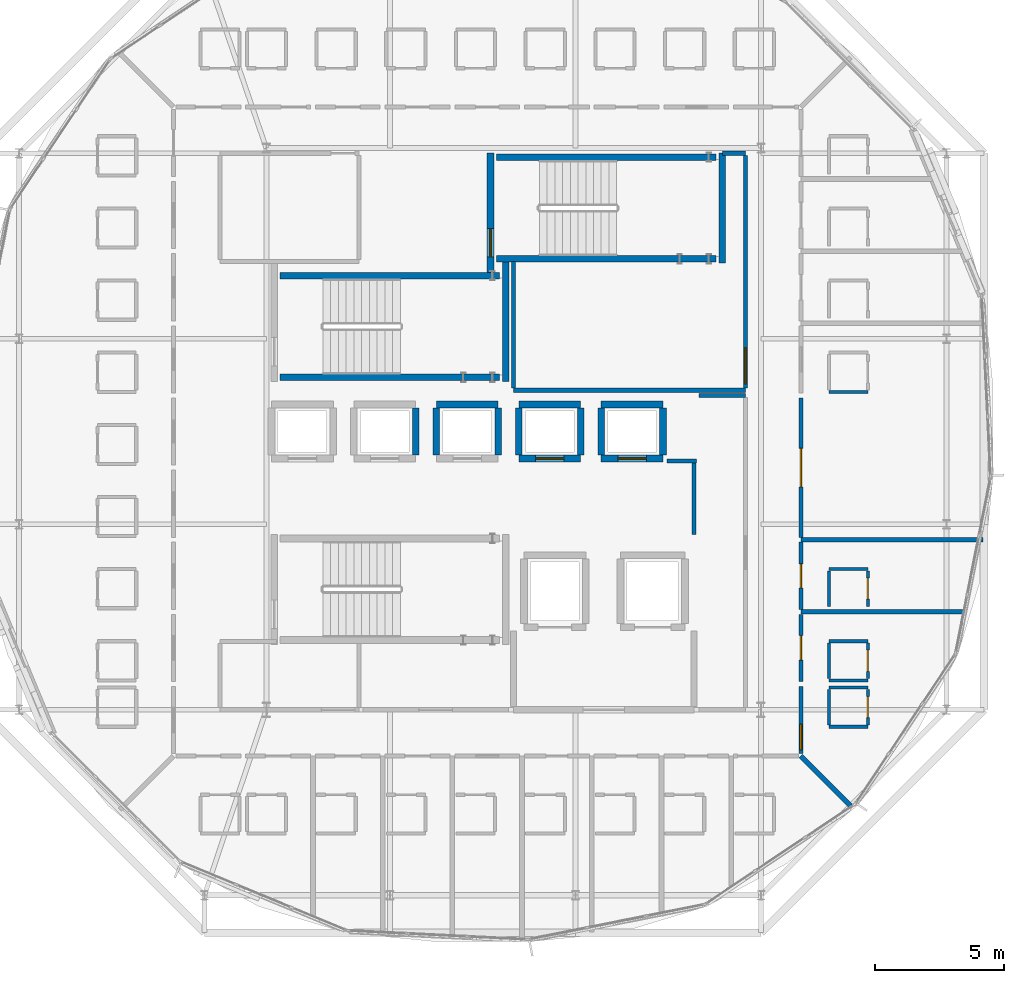
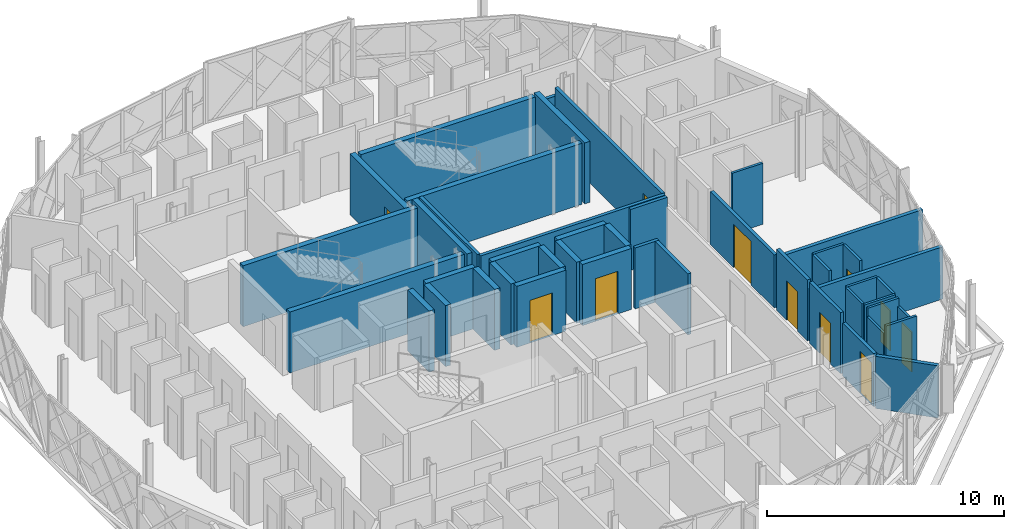
# One storey, part 16 of 24: 45 walls, 11 doors, 11 openings.
"""IFC4 building model written with IfcOpenShell, lengths in metres."""

from ifc_helpers import new_model, si_unit, direction, frame, frame_2d, origin, place, context, subcontext, project, spatial, rectangle, extrude, material, layer, layer_set, type_object, element, fill, save


model = new_model("IFC4")

# Units and contexts
model_context = context("Model", 3, precision=1e-05, world=origin(), true_north=direction((0.0, 1.0)))
body_context = subcontext(model_context, "Body", "Model", "MODEL_VIEW")
ifc_project = project(units=[si_unit("LENGTHUNIT", "METRE"), si_unit("AREAUNIT", "SQUARE_METRE"), si_unit("VOLUMEUNIT", "CUBIC_METRE"), si_unit("PLANEANGLEUNIT", "RADIAN"), si_unit("MASSUNIT", "GRAM", prefix="KILO")], contexts=[model_context])

# Site, building, storey
site_placement = place(None, origin())
site = spatial("IfcSite", under=ifc_project, at=site_placement, CompositionType="ELEMENT")
building_placement = place(site_placement, origin())
building = spatial("IfcBuilding", under=site, at=building_placement, Name="Zevrakil Square Congress Hotel", CompositionType="ELEMENT")
storey_placement = place(building_placement, frame((0.0, 0.0, 38.5)))
storey = spatial("IfcBuildingStorey", under=building, at=storey_placement, Name="L11", CompositionType="ELEMENT", Elevation=38.5)

# Walls
ifc_material_1 = material(Name="Gypsum Acoustic Stud Partition")
ifc_layer_1 = layer(ifc_material_1, 0.159912109375)
ifc_layer_set_1 = layer_set([ifc_layer_1], Name="Gypsum Acoustic Stud Partition")
wall_type_1 = type_object("IfcWallType", Name="WAL-CORR-160", PredefinedType="PARTITIONING", material=ifc_layer_set_1)
wall_1_placement = place(storey_placement, frame((146.39990234375, 29.199951171875, 0.0), z_axis=(0.0, 0.0, 1.0), x_axis=(1.0, 0.0, 0.0)))
element("IfcWall", 1, at=wall_1_placement, inside=storey, type_object=wall_type_1, Name="L11 interior partition PW-L11-1789", PredefinedType="PARTITIONING", context=body_context, shape_type="SweptSolid", body=[
    extrude(rectangle(XDim=9.0, YDim=0.159912109375, at=frame_2d((4.5, 0.0))), origin(), (0.0, 0.0, 1.0), 3.14990234375),
])
wall_2_placement = place(storey_placement, frame((146.39990234375, 29.284912109375, 0.0), z_axis=(0.0, 0.0, 1.0), x_axis=(0.0, 1.0, 0.0)))
element("IfcWall", 2, at=wall_2_placement, inside=storey, type_object=wall_type_1, Name="L11 interior partition PW-L11-1790", PredefinedType="PARTITIONING", context=body_context, shape_type="SweptSolid", body=[
    extrude(rectangle(XDim=4.9150390625, YDim=0.159912109375, at=frame_2d((2.45751953125, 0.0))), origin(), (0.0, 0.0, 1.0), 3.14990234375),
])
wall_3_placement = place(storey_placement, frame((154.5, 38.39990234375, 0.0), z_axis=(0.0, 0.0, 1.0), x_axis=(1.0, 0.0, 0.0)))
element("IfcWall", 3, at=wall_3_placement, inside=storey, type_object=wall_type_1, Name="L11 interior partition PW-L11-1791", PredefinedType="PARTITIONING", context=body_context, shape_type="SweptSolid", body=[
    extrude(rectangle(XDim=0.89990234375, YDim=0.159912109375, at=frame_2d((0.449951171875, 0.0))), origin(), (0.0, 0.0, 1.0), 2.68505859375),
])

# Wall, opening, door
wall_4_placement = place(storey_placement, frame((155.39990234375, 29.284912109375, 0.0), z_axis=(0.0, 0.0, 1.0), x_axis=(0.0, 1.0, 0.0)))
wall_4 = element("IfcWall", 4, at=wall_4_placement, inside=storey, type_object=wall_type_1, Name="L11 interior partition PW-L11-1792", PredefinedType="PARTITIONING", context=body_context, shape_type="SweptSolid", body=[
    extrude(rectangle(XDim=9.030029296875, YDim=0.159912109375, at=frame_2d((4.51513671875, 0.0))), origin(), (0.0, 0.0, 1.0), 3.14990234375),
])
opening_1_placement = place(wall_4_placement, frame((0.159912109375, 0.0, 0.0)))
opening_1 = element("IfcOpeningElement", 5, at=opening_1_placement, cuts=wall_4, Name="Opening ID-09", PredefinedType="OPENING", context=body_context, shape_type="SweptSolid", body=[
    extrude(rectangle(XDim=1.39990234375, YDim=2.199951171875, at=frame_2d((0.699951171875, 1.10009765625))), frame((0.0, 0.08984375, 0.0), z_axis=(0.0, -1.0, 0.0), x_axis=(1.0, 0.0, 0.0)), (0.0, 0.0, 1.0), 0.179931640625),
])
ifc_material_2 = material(Name="Steel S355 Louvred Plant Fire Door", Category="steel")
door_type_1 = type_object("IfcDoorType", Name="DOR-PLANT-140", OperationType="NOTDEFINED", PredefinedType="DOOR", material=ifc_material_2)
door_1_placement = place(opening_1_placement, origin())
door_1 = element("IfcDoor", 6, at=door_1_placement, inside=storey, type_object=door_type_1, Name="L11 interior door 695", OperationType="SINGLE_SWING_LEFT", OverallHeight=2.199951171875, OverallWidth=1.39990234375, PredefinedType="DOOR", context=body_context, shape_type="SweptSolid", body=[
    extrude(rectangle(XDim=1.39990234375, YDim=2.199951171875, at=frame_2d((0.699951171875, 1.10009765625))), frame((0.0, 0.02490234375, 0.0), z_axis=(0.0, -1.0, 0.0), x_axis=(1.0, 0.0, 0.0)), (0.0, 0.0, 1.0), 0.050048828125),
])
fill(opening_1, door_1)

# Walls
wall_5_placement = place(storey_placement, frame((153.60009765625, 29.0, 0.0), z_axis=(0.0, 0.0, 1.0), x_axis=(1.0, 0.0, 0.0)))
element("IfcWall", 7, at=wall_5_placement, inside=storey, type_object=wall_type_1, Name="L11 interior partition PW-L11-1794", PredefinedType="PARTITIONING", context=body_context, shape_type="SweptSolid", body=[
    extrude(rectangle(XDim=1.7998046875, YDim=0.159912109375, at=frame_2d((0.89990234375, 0.0))), origin(), (0.0, 0.0, 1.0), 3.14990234375),
])
wall_6_placement = place(storey_placement, frame((152.35009765625, 26.449951171875, 0.0), z_axis=(0.0, 0.0, 1.0), x_axis=(1.0, 0.0, 0.0)))
element("IfcWall", 8, at=wall_6_placement, inside=storey, type_object=wall_type_1, Name="L11 interior partition PW-L11-1796", PredefinedType="PARTITIONING", context=body_context, shape_type="SweptSolid", body=[
    extrude(rectangle(XDim=1.14990234375, YDim=0.159912109375, at=frame_2d((0.574951171875, 0.0))), origin(), (0.0, 0.0, 1.0), 3.14990234375),
])
wall_7_placement = place(storey_placement, frame((153.39990234375, 23.60009765625, 0.0), z_axis=(0.0, 0.0, 1.0), x_axis=(0.0, 1.0, 0.0)))
element("IfcWall", 9, at=wall_7_placement, inside=storey, type_object=wall_type_1, Name="L11 interior partition PW-L11-1797", PredefinedType="PARTITIONING", context=body_context, shape_type="SweptSolid", body=[
    extrude(rectangle(XDim=2.7998046875, YDim=0.159912109375, at=frame_2d((1.39990234375, 0.0))), origin(), (0.0, 0.0, 1.0), 3.14990234375),
])

# Wall, opening, door
wall_8_placement = place(storey_placement, frame((157.550048828125, 23.4951171875, 0.0), z_axis=(0.0, 0.0, 1.0), x_axis=(0.0, 1.0, 0.0)))
wall_8 = element("IfcWall", 10, at=wall_8_placement, inside=storey, type_object=wall_type_1, Name="L11 interior partition PW-L11-1798", PredefinedType="PARTITIONING", context=body_context, shape_type="SweptSolid", body=[
    extrude(rectangle(XDim=5.409912109375, YDim=0.159912109375, at=frame_2d((2.705078125, 0.0))), origin(), (0.0, 0.0, 1.0), 2.735107421875),
])
opening_2_placement = place(wall_8_placement, frame((1.955078125, 0.0, 0.0)))
opening_2 = element("IfcOpeningElement", 11, at=opening_2_placement, cuts=wall_8, Name="Opening ID-03", PredefinedType="OPENING", context=body_context, shape_type="SweptSolid", body=[
    extrude(rectangle(XDim=1.5, YDim=2.25, at=frame_2d((0.75, 1.125))), frame((0.0, 0.08984375, 0.0), z_axis=(0.0, -1.0, 0.0), x_axis=(1.0, 0.0, 0.0)), (0.0, 0.0, 1.0), 0.179931640625),
])
ifc_material_3 = material(Name="Acoustic Double Meeting Door")
door_type_2 = type_object("IfcDoorType", Name="DOR-MTG-150", OperationType="NOTDEFINED", PredefinedType="DOOR", material=ifc_material_3)
door_2_placement = place(opening_2_placement, origin())
door_2 = element("IfcDoor", 12, at=door_2_placement, inside=storey, type_object=door_type_2, Name="L11 interior door 697", OperationType="DOUBLE_DOOR_SINGLE_SWING", OverallHeight=2.25, OverallWidth=1.5, PredefinedType="DOOR", context=body_context, shape_type="SweptSolid", body=[
    extrude(rectangle(XDim=1.5, YDim=2.25, at=frame_2d((0.75, 1.125))), frame((0.0, 0.02490234375, 0.0), z_axis=(0.0, -1.0, 0.0), x_axis=(1.0, 0.0, 0.0)), (0.0, 0.0, 1.0), 0.050048828125),
])
fill(opening_2, door_2)

wall_9_placement = place(storey_placement, frame((157.550048828125, 15.094970703125, 0.0), z_axis=(0.0, 0.0, 1.0), x_axis=(0.0, 1.0, 0.0)))
wall_9 = element("IfcWall", 13, at=wall_9_placement, inside=storey, type_object=wall_type_1, Name="L11 interior partition PW-L11-1846", PredefinedType="PARTITIONING", context=body_context, shape_type="SweptSolid", body=[
    extrude(rectangle(XDim=2.610107421875, YDim=0.159912109375, at=frame_2d((1.30517578125, 0.0))), origin(), (0.0, 0.0, 1.0), 2.735107421875),
])
opening_3_placement = place(wall_9_placement, frame((0.159912109375, 0.0, 0.0)))
opening_3 = element("IfcOpeningElement", 14, at=opening_3_placement, cuts=wall_9, Name="Opening ID-14", PredefinedType="OPENING", context=body_context, shape_type="SweptSolid", body=[
    extrude(rectangle(XDim=0.97998046875, YDim=2.159912109375, at=frame_2d((0.489990234375, 1.080078125))), frame((0.0, 0.08984375, 0.0), z_axis=(0.0, -1.0, 0.0), x_axis=(1.0, 0.0, 0.0)), (0.0, 0.0, 1.0), 0.179931640625),
])
ifc_material_4 = material(Name="Acoustic Timber Fire Door", Category="wood")
door_type_3 = type_object("IfcDoorType", Name="DOR-INT-V04", OperationType="NOTDEFINED", PredefinedType="DOOR", material=ifc_material_4)
door_3_placement = place(opening_3_placement, origin())
door_3 = element("IfcDoor", 15, at=door_3_placement, inside=storey, type_object=door_type_3, Name="L11 interior door 716", OperationType="SINGLE_SWING_RIGHT", OverallHeight=2.159912109375, OverallWidth=0.97998046875, PredefinedType="DOOR", context=body_context, shape_type="SweptSolid", body=[
    extrude(rectangle(XDim=0.97998046875, YDim=2.159912109375, at=frame_2d((0.489990234375, 1.080078125))), frame((0.0, 0.02490234375, 0.0), z_axis=(0.0, -1.0, 0.0), x_axis=(1.0, 0.0, 0.0)), (0.0, 0.0, 1.0), 0.050048828125),
])
fill(opening_3, door_3)

wall_10_placement = place(storey_placement, frame((157.550048828125, 17.89501953125, 0.0), z_axis=(0.0, 0.0, 1.0), x_axis=(0.0, 1.0, 0.0)))
wall_10 = element("IfcWall", 16, at=wall_10_placement, inside=storey, type_object=wall_type_1, Name="L11 interior partition PW-L11-1851", PredefinedType="PARTITIONING", context=body_context, shape_type="SweptSolid", body=[
    extrude(rectangle(XDim=2.60986328125, YDim=0.159912109375, at=frame_2d((1.304931640625, 0.0))), origin(), (0.0, 0.0, 1.0), 3.14990234375),
])
opening_4_placement = place(wall_10_placement, frame((0.8310546875, 0.0, 0.0)))
opening_4 = element("IfcOpeningElement", 17, at=opening_4_placement, cuts=wall_10, Name="Opening ID-H09", PredefinedType="OPENING", context=body_context, shape_type="SweptSolid", body=[
    extrude(rectangle(XDim=0.947998046875, YDim=2.10009765625, at=frame_2d((0.47412109375, 1.050048828125))), frame((0.0, 0.08984375, 0.0), z_axis=(0.0, -1.0, 0.0), x_axis=(1.0, 0.0, 0.0)), (0.0, 0.0, 1.0), 0.179931640625),
])
ifc_material_5 = material(Name="Acoustic Timber Fire Door", Category="wood")
door_type_4 = type_object("IfcDoorType", Name="DOR-INT-H09", OperationType="NOTDEFINED", PredefinedType="DOOR", material=ifc_material_5)
door_4_placement = place(opening_4_placement, origin())
door_4 = element("IfcDoor", 18, at=door_4_placement, inside=storey, type_object=door_type_4, Name="L11 interior door 718", OperationType="SINGLE_SWING_RIGHT", OverallHeight=2.10009765625, OverallWidth=0.947998046875, PredefinedType="DOOR", context=body_context, shape_type="SweptSolid", body=[
    extrude(rectangle(XDim=0.947998046875, YDim=2.10009765625, at=frame_2d((0.47412109375, 1.050048828125))), frame((0.0, 0.02490234375, 0.0), z_axis=(0.0, -1.0, 0.0), x_axis=(1.0, 0.0, 0.0)), (0.0, 0.0, 1.0), 0.050048828125),
])
fill(opening_4, door_4)

wall_11_placement = place(storey_placement, frame((157.550048828125, 20.695068359375, 0.0), z_axis=(0.0, 0.0, 1.0), x_axis=(0.0, 1.0, 0.0)))
wall_11 = element("IfcWall", 19, at=wall_11_placement, inside=storey, type_object=wall_type_1, Name="L11 interior partition PW-L11-1857", PredefinedType="PARTITIONING", context=body_context, shape_type="SweptSolid", body=[
    extrude(rectangle(XDim=2.60986328125, YDim=0.159912109375, at=frame_2d((1.304931640625, 0.0))), origin(), (0.0, 0.0, 1.0), 3.14990234375),
])
opening_5_placement = place(wall_11_placement, frame((0.840087890625, 0.0, 0.0)))
opening_5 = element("IfcOpeningElement", 20, at=opening_5_placement, cuts=wall_11, Name="Opening ID-G04", PredefinedType="OPENING", context=body_context, shape_type="SweptSolid", body=[
    extrude(rectangle(XDim=0.929931640625, YDim=2.050048828125, at=frame_2d((0.46484375, 1.02490234375))), frame((0.0, 0.08984375, 0.0), z_axis=(0.0, -1.0, 0.0), x_axis=(1.0, 0.0, 0.0)), (0.0, 0.0, 1.0), 0.179931640625),
])
ifc_material_6 = material(Name="Acoustic Timber Fire Door", Category="wood")
door_type_5 = type_object("IfcDoorType", Name="DOR-INT-G04", OperationType="NOTDEFINED", PredefinedType="DOOR", material=ifc_material_6)
door_5_placement = place(opening_5_placement, origin())
door_5 = element("IfcDoor", 21, at=door_5_placement, inside=storey, type_object=door_type_5, Name="L11 interior door 720", OperationType="SINGLE_SWING_RIGHT", OverallHeight=2.050048828125, OverallWidth=0.929931640625, PredefinedType="DOOR", context=body_context, shape_type="SweptSolid", body=[
    extrude(rectangle(XDim=0.929931640625, YDim=2.050048828125, at=frame_2d((0.46484375, 1.02490234375))), frame((0.0, 0.02490234375, 0.0), z_axis=(0.0, -1.0, 0.0), x_axis=(1.0, 0.0, 0.0)), (0.0, 0.0, 1.0), 0.050048828125),
])
fill(opening_5, door_5)

# Walls
ifc_material_7 = material(Name="Moisture-Resistant Gypsum Partition")
ifc_layer_2 = layer(ifc_material_7, 0.1201171875)
ifc_layer_set_2 = layer_set([ifc_layer_2], Name="Moisture-Resistant Gypsum Partition")
wall_type_2 = type_object("IfcWallType", Name="WAL-ENS-120", PredefinedType="PARTITIONING", material=ifc_layer_set_2)
for number, where, z_axis, x_axis, name in (
    (22, (158.64990234375, 16.139892578125, 0.0), (0.0, 0.0, 1.0), (1.0, 0.0, 0.0), "L11 interior partition PW-L11-1847"),
    (23, (158.64990234375, 17.659912109375, 0.0), (0.0, 0.0, 1.0), (1.0, 0.0, 0.0), "L11 interior partition PW-L11-1848"),
):
    element("IfcWall", number, at=place(storey_placement, frame(where, z_axis=z_axis, x_axis=x_axis)), inside=storey, type_object=wall_type_2, Name=name, PredefinedType="PARTITIONING", context=body_context, shape_type="SweptSolid", body=[
        extrude(rectangle(XDim=1.5, YDim=0.1201171875, at=frame_2d((0.75, 0.0))), origin(), (0.0, 0.0, 1.0), 3.14990234375),
    ])
wall_12_placement = place(storey_placement, frame((158.64990234375, 16.205078125, 0.0), z_axis=(0.0, 0.0, 1.0), x_axis=(0.0, 1.0, 0.0)))
element("IfcWall", 24, at=wall_12_placement, inside=storey, type_object=wall_type_2, Name="L11 interior partition PW-L11-1849", PredefinedType="PARTITIONING", context=body_context, shape_type="SweptSolid", body=[
    extrude(rectangle(XDim=1.389892578125, YDim=0.1201171875, at=frame_2d((0.69482421875, 0.0))), origin(), (0.0, 0.0, 1.0), 2.735107421875),
])

# Wall, opening, door
wall_13_placement = place(storey_placement, frame((160.14990234375, 16.205078125, 0.0), z_axis=(0.0, 0.0, 1.0), x_axis=(0.0, 1.0, 0.0)))
wall_13 = element("IfcWall", 25, at=wall_13_placement, inside=storey, type_object=wall_type_2, Name="L11 interior partition PW-L11-1850", PredefinedType="PARTITIONING", context=body_context, shape_type="SweptSolid", body=[
    extrude(rectangle(XDim=1.389892578125, YDim=0.1201171875, at=frame_2d((0.69482421875, 0.0))), origin(), (0.0, 0.0, 1.0), 2.735107421875),
])
opening_6_placement = place(wall_13_placement, frame((0.284912109375, 0.0, 0.0)))
opening_6 = element("IfcOpeningElement", 26, at=opening_6_placement, cuts=wall_13, Name="Opening ID-11", PredefinedType="OPENING", context=body_context, shape_type="SweptSolid", body=[
    extrude(rectangle(XDim=0.820068359375, YDim=2.080078125, at=frame_2d((0.41015625, 1.0400390625))), frame((0.0, 0.070068359375, 0.0), z_axis=(0.0, -1.0, 0.0), x_axis=(1.0, 0.0, 0.0)), (0.0, 0.0, 1.0), 0.14013671875),
])
ifc_material_8 = material(Name="Acoustic Timber Door", Category="wood")
door_type_6 = type_object("IfcDoorType", Name="DOR-INT-V01", OperationType="NOTDEFINED", PredefinedType="DOOR", material=ifc_material_8)
door_6_placement = place(opening_6_placement, origin())
door_6 = element("IfcDoor", 27, at=door_6_placement, inside=storey, type_object=door_type_6, Name="L11 interior door 717", OperationType="SINGLE_SWING_LEFT", OverallHeight=2.080078125, OverallWidth=0.820068359375, PredefinedType="DOOR", context=body_context, shape_type="SweptSolid", body=[
    extrude(rectangle(XDim=0.820068359375, YDim=2.080078125, at=frame_2d((0.41015625, 1.0400390625))), frame((0.0, 0.02490234375, 0.0), z_axis=(0.0, -1.0, 0.0), x_axis=(1.0, 0.0, 0.0)), (0.0, 0.0, 1.0), 0.050048828125),
])
fill(opening_6, door_6)

# Walls
for number, where, z_axis, x_axis, name in (
    (28, (158.64990234375, 17.93994140625, 0.0), (0.0, 0.0, 1.0), (1.0, 0.0, 0.0), "L11 interior partition PW-L11-1852"),
    (29, (158.64990234375, 19.4599609375, 0.0), (0.0, 0.0, 1.0), (1.0, 0.0, 0.0), "L11 interior partition PW-L11-1853"),
):
    element("IfcWall", number, at=place(storey_placement, frame(where, z_axis=z_axis, x_axis=x_axis)), inside=storey, type_object=wall_type_2, Name=name, PredefinedType="PARTITIONING", context=body_context, shape_type="SweptSolid", body=[
        extrude(rectangle(XDim=1.5, YDim=0.1201171875, at=frame_2d((0.75, 0.0))), origin(), (0.0, 0.0, 1.0), 3.14990234375),
    ])
wall_14_placement = place(storey_placement, frame((158.64990234375, 18.0048828125, 0.0), z_axis=(0.0, 0.0, 1.0), x_axis=(0.0, 1.0, 0.0)))
element("IfcWall", 30, at=wall_14_placement, inside=storey, type_object=wall_type_2, Name="L11 interior partition PW-L11-1854", PredefinedType="PARTITIONING", context=body_context, shape_type="SweptSolid", body=[
    extrude(rectangle(XDim=1.39013671875, YDim=0.1201171875, at=frame_2d((0.695068359375, 0.0))), origin(), (0.0, 0.0, 1.0), 3.14990234375),
])

# Wall, opening, door
wall_15_placement = place(storey_placement, frame((160.14990234375, 18.0048828125, 0.0), z_axis=(0.0, 0.0, 1.0), x_axis=(0.0, 1.0, 0.0)))
wall_15 = element("IfcWall", 31, at=wall_15_placement, inside=storey, type_object=wall_type_2, Name="L11 interior partition PW-L11-1855", PredefinedType="PARTITIONING", context=body_context, shape_type="SweptSolid", body=[
    extrude(rectangle(XDim=1.39013671875, YDim=0.1201171875, at=frame_2d((0.695068359375, 0.0))), origin(), (0.0, 0.0, 1.0), 3.14990234375),
])
opening_7_placement = place(wall_15_placement, frame((0.284912109375, 0.0, 0.0)))
opening_7 = element("IfcOpeningElement", 32, at=opening_7_placement, cuts=wall_15, Name="Opening ID-11", PredefinedType="OPENING", context=body_context, shape_type="SweptSolid", body=[
    extrude(rectangle(XDim=0.820068359375, YDim=2.080078125, at=frame_2d((0.41015625, 1.0400390625))), frame((0.0, 0.070068359375, 0.0), z_axis=(0.0, -1.0, 0.0), x_axis=(1.0, 0.0, 0.0)), (0.0, 0.0, 1.0), 0.14013671875),
])
door_7_placement = place(opening_7_placement, origin())
door_7 = element("IfcDoor", 33, at=door_7_placement, inside=storey, type_object=door_type_6, Name="L11 interior door 719", OperationType="SINGLE_SWING_LEFT", OverallHeight=2.080078125, OverallWidth=0.820068359375, PredefinedType="DOOR", context=body_context, shape_type="SweptSolid", body=[
    extrude(rectangle(XDim=0.820068359375, YDim=2.080078125, at=frame_2d((0.41015625, 1.0400390625))), frame((0.0, 0.02490234375, 0.0), z_axis=(0.0, -1.0, 0.0), x_axis=(1.0, 0.0, 0.0)), (0.0, 0.0, 1.0), 0.050048828125),
])
fill(opening_7, door_7)

# Walls
wall_16_placement = place(storey_placement, frame((158.64990234375, 22.260009765625, 0.0), z_axis=(0.0, 0.0, 1.0), x_axis=(1.0, 0.0, 0.0)))
element("IfcWall", 34, at=wall_16_placement, inside=storey, type_object=wall_type_2, Name="L11 interior partition PW-L11-1858", PredefinedType="PARTITIONING", context=body_context, shape_type="SweptSolid", body=[
    extrude(rectangle(XDim=1.5, YDim=0.1201171875, at=frame_2d((0.75, 0.0))), origin(), (0.0, 0.0, 1.0), 3.14990234375),
])
wall_17_placement = place(storey_placement, frame((158.64990234375, 20.804931640625, 0.0), z_axis=(0.0, 0.0, 1.0), x_axis=(0.0, 1.0, 0.0)))
element("IfcWall", 35, at=wall_17_placement, inside=storey, type_object=wall_type_2, Name="L11 interior partition PW-L11-1859", PredefinedType="PARTITIONING", context=body_context, shape_type="SweptSolid", body=[
    extrude(rectangle(XDim=1.39013671875, YDim=0.1201171875, at=frame_2d((0.695068359375, 0.0))), origin(), (0.0, 0.0, 1.0), 3.14990234375),
])

# Wall, opening, door
wall_18_placement = place(storey_placement, frame((160.14990234375, 20.804931640625, 0.0), z_axis=(0.0, 0.0, 1.0), x_axis=(0.0, 1.0, 0.0)))
wall_18 = element("IfcWall", 36, at=wall_18_placement, inside=storey, type_object=wall_type_2, Name="L11 interior partition PW-L11-1860", PredefinedType="PARTITIONING", context=body_context, shape_type="SweptSolid", body=[
    extrude(rectangle(XDim=1.39013671875, YDim=0.1201171875, at=frame_2d((0.695068359375, 0.0))), origin(), (0.0, 0.0, 1.0), 3.14990234375),
])
opening_8_placement = place(wall_18_placement, frame((0.284912109375, 0.0, 0.0)))
opening_8 = element("IfcOpeningElement", 37, at=opening_8_placement, cuts=wall_18, Name="Opening ID-11", PredefinedType="OPENING", context=body_context, shape_type="SweptSolid", body=[
    extrude(rectangle(XDim=0.820068359375, YDim=2.080078125, at=frame_2d((0.41015625, 1.0400390625))), frame((0.0, 0.070068359375, 0.0), z_axis=(0.0, -1.0, 0.0), x_axis=(1.0, 0.0, 0.0)), (0.0, 0.0, 1.0), 0.14013671875),
])
door_8_placement = place(opening_8_placement, origin())
door_8 = element("IfcDoor", 38, at=door_8_placement, inside=storey, type_object=door_type_6, Name="L11 interior door 721", OperationType="SINGLE_SWING_LEFT", OverallHeight=2.080078125, OverallWidth=0.820068359375, PredefinedType="DOOR", context=body_context, shape_type="SweptSolid", body=[
    extrude(rectangle(XDim=0.820068359375, YDim=2.080078125, at=frame_2d((0.41015625, 1.0400390625))), frame((0.0, 0.02490234375, 0.0), z_axis=(0.0, -1.0, 0.0), x_axis=(1.0, 0.0, 0.0)), (0.0, 0.0, 1.0), 0.050048828125),
])
fill(opening_8, door_8)

# Walls
wall_19_placement = place(storey_placement, frame((158.64990234375, 29.139892578125, 0.0), z_axis=(0.0, 0.0, 1.0), x_axis=(1.0, 0.0, 0.0)))
element("IfcWall", 39, at=wall_19_placement, inside=storey, type_object=wall_type_2, Name="L11 interior partition PW-L11-1863", PredefinedType="PARTITIONING", context=body_context, shape_type="SweptSolid", body=[
    extrude(rectangle(XDim=1.5, YDim=0.1201171875, at=frame_2d((0.75, 0.0))), origin(), (0.0, 0.0, 1.0), 3.14990234375),
])
ifc_material_9 = material(Name="Gypsum Twin-Stud Party Partition")
ifc_layer_3 = layer(ifc_material_9, 0.179931640625)
ifc_layer_set_3 = layer_set([ifc_layer_3], Name="Gypsum Twin-Stud Party Partition")
wall_type_3 = type_object("IfcWallType", Name="WAL-PARTY-180", PredefinedType="PARTITIONING", material=ifc_layer_set_3)
wall_20_placement = place(storey_placement, frame((157.550048828125, 15.0, 0.0), z_axis=(0.0, 0.0, 1.0), x_axis=(0.707106781187, -0.707106781187, 0.0)))
element("IfcWall", 40, at=wall_20_placement, inside=storey, type_object=wall_type_3, Name="L11 interior partition PW-L11-1845", PredefinedType="PARTITIONING", context=body_context, shape_type="SweptSolid", body=[
    extrude(rectangle(XDim=2.72509765625, YDim=0.179931640625, at=frame_2d((1.362548828125, 0.0))), origin(), (0.0, 0.0, 1.0), 2.695068359375),
])
wall_21_placement = place(storey_placement, frame((157.550048828125, 20.60009765625, 0.0), z_axis=(0.0, 0.0, 1.0), x_axis=(1.0, 0.0, 0.0)))
element("IfcWall", 41, at=wall_21_placement, inside=storey, type_object=wall_type_3, Name="L11 interior partition PW-L11-1856", PredefinedType="PARTITIONING", context=body_context, shape_type="SweptSolid", body=[
    extrude(rectangle(XDim=6.435791015625, YDim=0.179931640625, at=frame_2d((3.2177734375, 0.0))), origin(), (0.0, 0.0, 1.0), 2.695068359375),
])
wall_22_placement = place(storey_placement, frame((157.550048828125, 23.39990234375, 0.0), z_axis=(0.0, 0.0, 1.0), x_axis=(1.0, 0.0, 0.0)))
element("IfcWall", 42, at=wall_22_placement, inside=storey, type_object=wall_type_3, Name="L11 interior partition PW-L11-1861", PredefinedType="PARTITIONING", context=body_context, shape_type="SweptSolid", body=[
    extrude(rectangle(XDim=7.0732421875, YDim=0.179931640625, at=frame_2d((3.53662109375, 0.0))), origin(), (0.0, 0.0, 1.0), 2.695068359375),
])
ifc_material_10 = material(Name="Concrete C40/50", Category="concrete")
ifc_layer_4 = layer(ifc_material_10, 0.260009765625)
ifc_layer_set_4 = layer_set([ifc_layer_4], Name="Concrete C40/50")
wall_type_4 = type_object("IfcWallType", Name="WAL-SHAFT-260", PredefinedType="SHEAR", material=ifc_layer_set_4)
wall_23_placement = place(storey_placement, frame((146.094970703125, 29.5400390625, 0.0), z_axis=(0.0, 0.0, 1.0), x_axis=(0.0, 1.0, 0.0)))
element("IfcWall", 43, at=wall_23_placement, inside=storey, type_object=wall_type_4, Name="L11 ST02 stair shaft E wall", PredefinedType="SHEAR", context=body_context, shape_type="SweptSolid", body=[
    extrude(rectangle(XDim=4.635009765625, YDim=0.260009765625, at=frame_2d((2.3173828125, 0.0))), origin(), (0.0, 0.0, 1.0), 3.14990234375),
])
for number, where, z_axis, x_axis, name in (
    (44, (137.340087890625, 29.705078125, 0.0), (0.0, 0.0, 1.0), (1.0, 0.0, 0.0), "L11 ST02 stair shaft S wall"),
    (45, (137.340087890625, 33.64501953125, 0.0), (0.0, 0.0, 1.0), (1.0, 0.0, 0.0), "L11 ST02 stair shaft N wall"),
):
    element("IfcWall", number, at=place(storey_placement, frame(where, z_axis=z_axis, x_axis=x_axis)), inside=storey, type_object=wall_type_4, Name=name, PredefinedType="SHEAR", context=body_context, shape_type="SweptSolid", body=[
        extrude(rectangle(XDim=8.52001953125, YDim=0.260009765625, at=frame_2d((4.260009765625, 0.0))), origin(), (0.0, 0.0, 1.0), 3.14990234375),
    ])

# Wall, opening, door
wall_24_placement = place(storey_placement, frame((145.5048828125, 33.764892578125, 0.0), z_axis=(0.0, 0.0, 1.0), x_axis=(0.0, 1.0, 0.0)))
wall_24 = element("IfcWall", 46, at=wall_24_placement, inside=storey, type_object=wall_type_4, Name="L11 ST03 stair shaft W wall", PredefinedType="SHEAR", context=body_context, shape_type="SweptSolid", body=[
    extrude(rectangle(XDim=4.64501953125, YDim=0.260009765625, at=frame_2d((2.322509765625, 0.0))), origin(), (0.0, 0.0, 1.0), 3.14990234375),
])
opening_9_placement = place(wall_24_placement, frame((0.610107421875, 0.0, 0.0)))
opening_9 = element("IfcOpeningElement", 47, at=opening_9_placement, cuts=wall_24, Name="Opening SD-ST03", PredefinedType="OPENING", context=body_context, shape_type="SweptSolid", body=[
    extrude(rectangle(XDim=1.10009765625, YDim=2.199951171875, at=frame_2d((0.550048828125, 1.10009765625))), frame((0.0, 0.14013671875, 0.0), z_axis=(0.0, -1.0, 0.0), x_axis=(1.0, 0.0, 0.0)), (0.0, 0.0, 1.0), 0.280029296875),
])
ifc_material_11 = material(Name="Steel S355 Fire-Rated Door", Category="steel")
door_type_7 = type_object("IfcDoorType", Name="DOR-STAIR-FD90-110", OperationType="NOTDEFINED", PredefinedType="DOOR", material=ifc_material_11)
door_9_placement = place(opening_9_placement, origin())
door_9 = element("IfcDoor", 48, at=door_9_placement, inside=storey, type_object=door_type_7, Name="L11 ST03 protected stair fire door", OperationType="SINGLE_SWING_RIGHT", OverallHeight=2.199951171875, OverallWidth=1.10009765625, PredefinedType="DOOR", context=body_context, shape_type="SweptSolid", body=[
    extrude(rectangle(XDim=1.10009765625, YDim=2.199951171875, at=frame_2d((0.550048828125, 1.10009765625))), frame((0.0, 0.02490234375, 0.0), z_axis=(0.0, -1.0, 0.0), x_axis=(1.0, 0.0, 0.0)), (0.0, 0.0, 1.0), 0.050048828125),
])
fill(opening_9, door_9)

# Walls
wall_25_placement = place(storey_placement, frame((154.4951171875, 34.139892578125, 0.0), z_axis=(0.0, 0.0, 1.0), x_axis=(0.0, 1.0, 0.0)))
element("IfcWall", 49, at=wall_25_placement, inside=storey, type_object=wall_type_4, Name="L11 ST03 stair shaft E wall", PredefinedType="SHEAR", context=body_context, shape_type="SweptSolid", body=[
    extrude(rectangle(XDim=4.27001953125, YDim=0.260009765625, at=frame_2d((2.135009765625, 0.0))), origin(), (0.0, 0.0, 1.0), 3.14990234375),
])
for number, where, z_axis, x_axis, name in (
    (50, (145.739990234375, 34.304931640625, 0.0), (0.0, 0.0, 1.0), (1.0, 0.0, 0.0), "L11 ST03 stair shaft S wall"),
    (51, (145.739990234375, 38.2451171875, 0.0), (0.0, 0.0, 1.0), (1.0, 0.0, 0.0), "L11 ST03 stair shaft N wall"),
):
    element("IfcWall", number, at=place(storey_placement, frame(where, z_axis=z_axis, x_axis=x_axis)), inside=storey, type_object=wall_type_4, Name=name, PredefinedType="SHEAR", context=body_context, shape_type="SweptSolid", body=[
        extrude(rectangle(XDim=8.52001953125, YDim=0.260009765625, at=frame_2d((4.260009765625, 0.0))), origin(), (0.0, 0.0, 1.0), 3.14990234375),
    ])
wall_26_placement = place(storey_placement, frame((142.60009765625, 26.68994140625, 0.0), z_axis=(0.0, 0.0, 1.0), x_axis=(0.0, 1.0, 0.0)))
element("IfcWall", 52, at=wall_26_placement, inside=storey, type_object=wall_type_4, Name="L11 HL2 lift shaft wall", PredefinedType="SHEAR", context=body_context, shape_type="SweptSolid", body=[
    extrude(rectangle(XDim=1.820068359375, YDim=0.260009765625, at=frame_2d((0.91015625, 0.0))), origin(), (0.0, 0.0, 1.0), 3.14990234375),
])
wall_27_placement = place(storey_placement, frame((143.39990234375, 28.64990234375, 0.0), z_axis=(0.0, 0.0, 1.0), x_axis=(1.0, 0.0, 0.0)))
element("IfcWall", 53, at=wall_27_placement, inside=storey, type_object=wall_type_4, Name="L11 HL3 lift shaft wall", PredefinedType="SHEAR", context=body_context, shape_type="SweptSolid", body=[
    extrude(rectangle(XDim=2.400146484375, YDim=0.260009765625, at=frame_2d((1.2001953125, 0.0))), origin(), (0.0, 0.0, 1.0), 3.14990234375),
])
for number, where, z_axis, x_axis, name in (
    (54, (143.39990234375, 26.68994140625, 0.0), (0.0, 0.0, 1.0), (0.0, 1.0, 0.0), "L11 HL3 lift shaft wall"),
    (55, (145.800048828125, 26.68994140625, 0.0), (0.0, 0.0, 1.0), (0.0, 1.0, 0.0), "L11 HL3 lift shaft wall"),
):
    element("IfcWall", number, at=place(storey_placement, frame(where, z_axis=z_axis, x_axis=x_axis)), inside=storey, type_object=wall_type_4, Name=name, PredefinedType="SHEAR", context=body_context, shape_type="SweptSolid", body=[
        extrude(rectangle(XDim=1.820068359375, YDim=0.260009765625, at=frame_2d((0.91015625, 0.0))), origin(), (0.0, 0.0, 1.0), 3.14990234375),
    ])

# Wall, opening, door
wall_28_placement = place(storey_placement, frame((146.60009765625, 26.550048828125, 0.0), z_axis=(0.0, 0.0, 1.0), x_axis=(1.0, 0.0, 0.0)))
wall_28 = element("IfcWall", 56, at=wall_28_placement, inside=storey, type_object=wall_type_4, Name="L11 HL4 lift shaft wall", PredefinedType="SHEAR", context=body_context, shape_type="SweptSolid", body=[
    extrude(rectangle(XDim=2.39990234375, YDim=0.260009765625, at=frame_2d((1.199951171875, 0.0))), origin(), (0.0, 0.0, 1.0), 3.14990234375),
])
opening_10_placement = place(wall_28_placement, frame((0.64990234375, 0.0, 0.0)))
opening_10 = element("IfcOpeningElement", 57, at=opening_10_placement, cuts=wall_28, Name="Opening LD-HL4", PredefinedType="OPENING", context=body_context, shape_type="SweptSolid", body=[
    extrude(rectangle(XDim=1.10009765625, YDim=2.199951171875, at=frame_2d((0.550048828125, 1.10009765625))), frame((0.0, 0.14013671875, 0.0), z_axis=(0.0, -1.0, 0.0), x_axis=(1.0, 0.0, 0.0)), (0.0, 0.0, 1.0), 0.280029296875),
])
ifc_material_12 = material(Name="Stainless Steel Sliding Lift Landing Door", Category="steel")
door_type_8 = type_object("IfcDoorType", Name="DOR-LIFT-LD110", OperationType="NOTDEFINED", PredefinedType="DOOR", material=ifc_material_12)
door_10_placement = place(opening_10_placement, origin())
door_10 = element("IfcDoor", 58, at=door_10_placement, inside=storey, type_object=door_type_8, Name="L11 HL4 sliding lift landing door", OperationType="SLIDING_TO_RIGHT", OverallHeight=2.199951171875, OverallWidth=1.10009765625, PredefinedType="DOOR", context=body_context, shape_type="SweptSolid", body=[
    extrude(rectangle(XDim=1.10009765625, YDim=2.199951171875, at=frame_2d((0.550048828125, 1.10009765625))), frame((0.0, 0.02490234375, 0.0), z_axis=(0.0, -1.0, 0.0), x_axis=(1.0, 0.0, 0.0)), (0.0, 0.0, 1.0), 0.050048828125),
])
fill(opening_10, door_10)

# Walls
wall_29_placement = place(storey_placement, frame((146.60009765625, 28.64990234375, 0.0), z_axis=(0.0, 0.0, 1.0), x_axis=(1.0, 0.0, 0.0)))
element("IfcWall", 59, at=wall_29_placement, inside=storey, type_object=wall_type_4, Name="L11 HL4 lift shaft wall", PredefinedType="SHEAR", context=body_context, shape_type="SweptSolid", body=[
    extrude(rectangle(XDim=2.39990234375, YDim=0.260009765625, at=frame_2d((1.199951171875, 0.0))), origin(), (0.0, 0.0, 1.0), 3.14990234375),
])
for number, where, z_axis, x_axis, name in (
    (60, (146.60009765625, 26.68994140625, 0.0), (0.0, 0.0, 1.0), (0.0, 1.0, 0.0), "L11 HL4 lift shaft wall"),
    (61, (149.0, 26.68994140625, 0.0), (0.0, 0.0, 1.0), (0.0, 1.0, 0.0), "L11 HL4 lift shaft wall"),
):
    element("IfcWall", number, at=place(storey_placement, frame(where, z_axis=z_axis, x_axis=x_axis)), inside=storey, type_object=wall_type_4, Name=name, PredefinedType="SHEAR", context=body_context, shape_type="SweptSolid", body=[
        extrude(rectangle(XDim=1.820068359375, YDim=0.260009765625, at=frame_2d((0.91015625, 0.0))), origin(), (0.0, 0.0, 1.0), 3.14990234375),
    ])

# Wall, opening, door
wall_30_placement = place(storey_placement, frame((149.800048828125, 26.550048828125, 0.0), z_axis=(0.0, 0.0, 1.0), x_axis=(1.0, 0.0, 0.0)))
wall_30 = element("IfcWall", 62, at=wall_30_placement, inside=storey, type_object=wall_type_4, Name="L11 HL5 lift shaft wall", PredefinedType="SHEAR", context=body_context, shape_type="SweptSolid", body=[
    extrude(rectangle(XDim=2.39990234375, YDim=0.260009765625, at=frame_2d((1.199951171875, 0.0))), origin(), (0.0, 0.0, 1.0), 3.14990234375),
])
opening_11_placement = place(wall_30_placement, frame((0.64990234375, 0.0, 0.0)))
opening_11 = element("IfcOpeningElement", 63, at=opening_11_placement, cuts=wall_30, Name="Opening LD-HL5", PredefinedType="OPENING", context=body_context, shape_type="SweptSolid", body=[
    extrude(rectangle(XDim=1.10009765625, YDim=2.199951171875, at=frame_2d((0.550048828125, 1.10009765625))), frame((0.0, 0.14013671875, 0.0), z_axis=(0.0, -1.0, 0.0), x_axis=(1.0, 0.0, 0.0)), (0.0, 0.0, 1.0), 0.280029296875),
])
door_11_placement = place(opening_11_placement, origin())
door_11 = element("IfcDoor", 64, at=door_11_placement, inside=storey, type_object=door_type_8, Name="L11 HL5 sliding lift landing door", OperationType="SLIDING_TO_LEFT", OverallHeight=2.199951171875, OverallWidth=1.10009765625, PredefinedType="DOOR", context=body_context, shape_type="SweptSolid", body=[
    extrude(rectangle(XDim=1.10009765625, YDim=2.199951171875, at=frame_2d((0.550048828125, 1.10009765625))), frame((0.0, 0.02490234375, 0.0), z_axis=(0.0, -1.0, 0.0), x_axis=(1.0, 0.0, 0.0)), (0.0, 0.0, 1.0), 0.050048828125),
])
fill(opening_11, door_11)

# Walls
wall_31_placement = place(storey_placement, frame((149.800048828125, 28.64990234375, 0.0), z_axis=(0.0, 0.0, 1.0), x_axis=(1.0, 0.0, 0.0)))
element("IfcWall", 65, at=wall_31_placement, inside=storey, type_object=wall_type_4, Name="L11 HL5 lift shaft wall", PredefinedType="SHEAR", context=body_context, shape_type="SweptSolid", body=[
    extrude(rectangle(XDim=2.39990234375, YDim=0.260009765625, at=frame_2d((1.199951171875, 0.0))), origin(), (0.0, 0.0, 1.0), 3.14990234375),
])
for number, where, z_axis, x_axis, name in (
    (66, (149.800048828125, 26.68994140625, 0.0), (0.0, 0.0, 1.0), (0.0, 1.0, 0.0), "L11 HL5 lift shaft wall"),
    (67, (152.199951171875, 26.68994140625, 0.0), (0.0, 0.0, 1.0), (0.0, 1.0, 0.0), "L11 HL5 lift shaft wall"),
):
    element("IfcWall", number, at=place(storey_placement, frame(where, z_axis=z_axis, x_axis=x_axis)), inside=storey, type_object=wall_type_4, Name=name, PredefinedType="SHEAR", context=body_context, shape_type="SweptSolid", body=[
        extrude(rectangle(XDim=1.820068359375, YDim=0.260009765625, at=frame_2d((0.91015625, 0.0))), origin(), (0.0, 0.0, 1.0), 3.14990234375),
    ])

save(model, "model.ifc")
